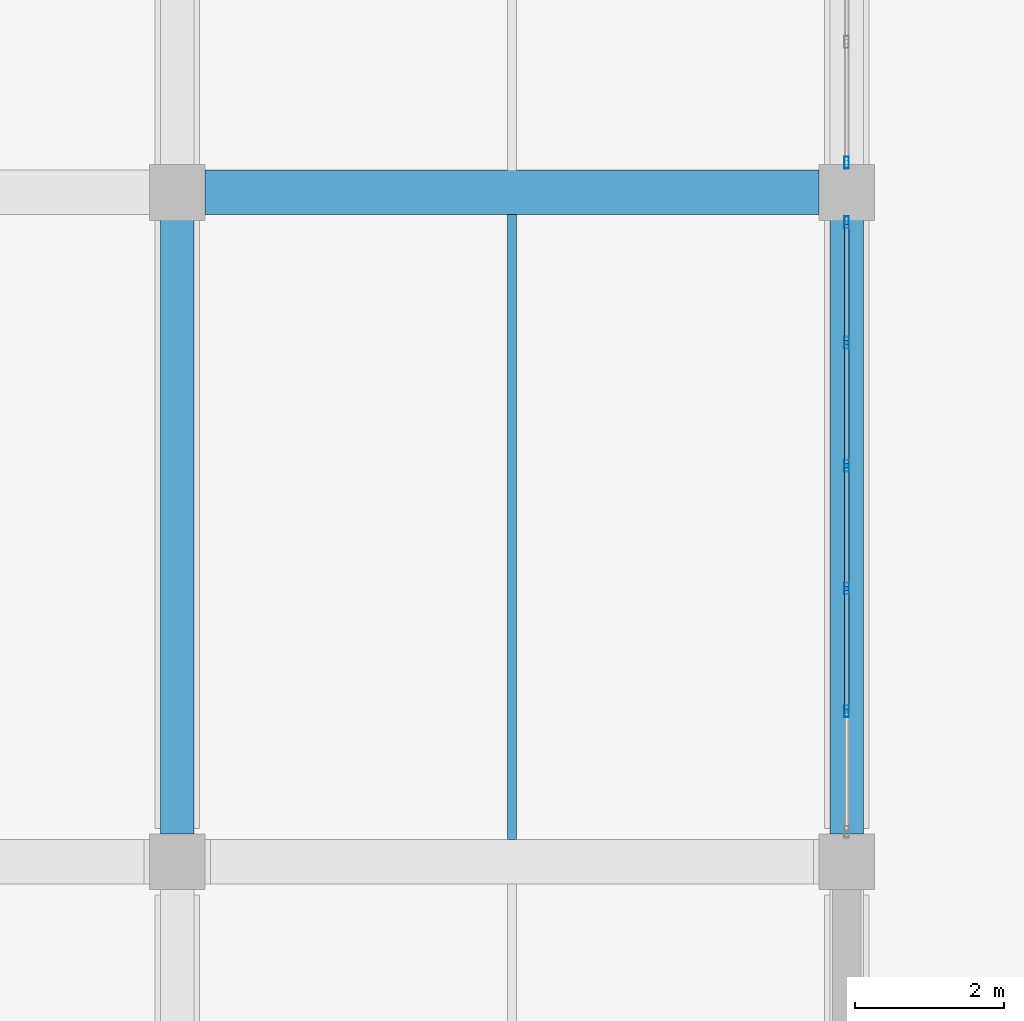
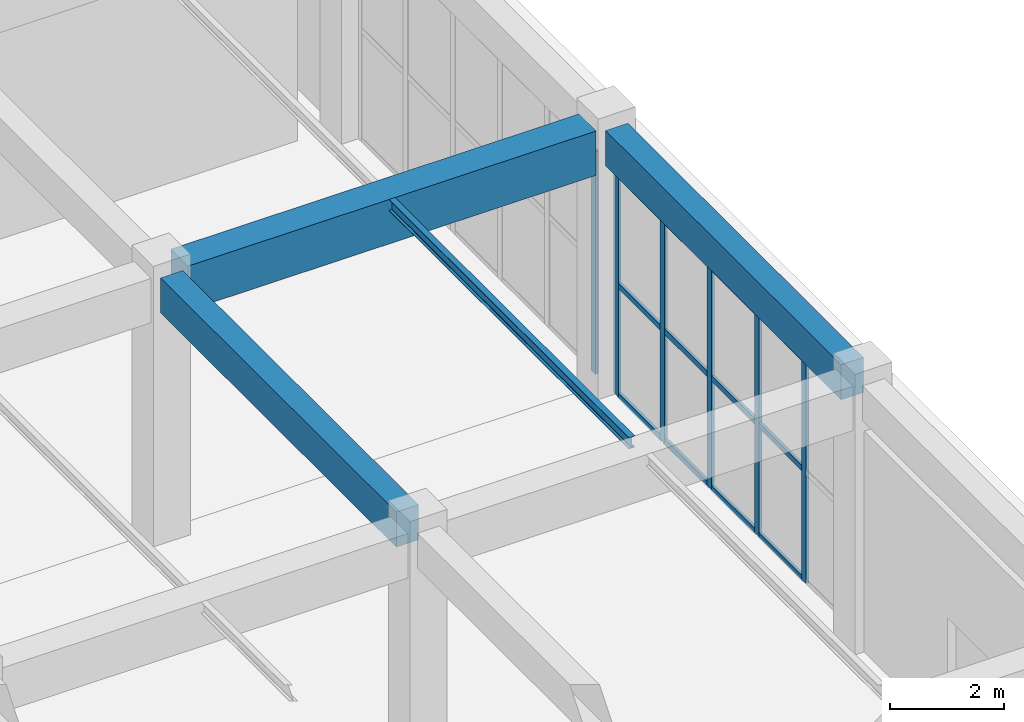
# One storey, part 14 of 91: 18 members, 4 beams, 2 elements without a shape of their own.
"""IFC4 building model written with IfcOpenShell, lengths in metres."""

import ifcopenshell
import ifcopenshell.guid

model = None  # the IFC model being written
_history = None  # IfcOwnerHistory: only IFC2X3 demands one
_inside = {}  # id of a spatial element -> (the spatial element, [elements in it])
_under = {}  # id of a project, library or spatial element -> (it, [spatial elements below it])
_declared = {}  # id of a project -> (the project, [libraries it declares])
_typed = {}  # id of a type object -> (the type object, [elements of that type])
_made_of = {}  # id of a material, layer set ... -> (it, [elements and type objects made of it])


def new_model(schema):
    """Start an empty IFC model of exactly this schema.

    Asked for "IFC4X3", IfcOpenShell would pick the latest addendum, in which some entities
    have other attributes; the version numbers below select the first issue.
    IFC2X3 requires an IfcOwnerHistory on every rooted entity: one is made here for all.
    """
    global model, _history
    if schema == "IFC4X3":
        model = ifcopenshell.file(schema_version=(4, 3, 0, 0))
    else:
        model = ifcopenshell.file(schema=schema)
    _inside.clear()
    _under.clear()
    _declared.clear()
    _typed.clear()
    _made_of.clear()
    _history = None
    if model.schema == "IFC2X3":
        org = make("IfcOrganization", Name="unknown")
        user = make(
            "IfcPersonAndOrganization",
            ThePerson=make("IfcPerson", FamilyName="unknown"),
            TheOrganization=org,
        )
        app = make(
            "IfcApplication",
            ApplicationDeveloper=org,
            Version="unknown",
            ApplicationFullName="unknown",
            ApplicationIdentifier="unknown",
        )
        _history = make(
            "IfcOwnerHistory",
            OwningUser=user,
            OwningApplication=app,
            ChangeAction="ADDED",
            CreationDate=0,
        )
    return model


def make(cls, **values):
    """One entity of the class cls with the attributes given. An attribute that is None is left unset."""
    return model.create_entity(
        cls, **{name: value for name, value in values.items() if value is not None}
    )


def rooted(cls, **values):
    """An entity with a GlobalId (a new one), such as an element, a storey or a relation."""
    return make(cls, GlobalId=ifcopenshell.guid.new(), OwnerHistory=_history, **values)


def si_unit(unit_type, name, prefix=None):
    """IfcSIUnit, for example si_unit("LENGTHUNIT", "METRE", prefix="MILLI")."""
    return make("IfcSIUnit", UnitType=unit_type, Prefix=prefix, Name=name)


def assignment(units):
    """IfcUnitAssignment: the units of a project."""
    return None if units is None else make("IfcUnitAssignment", Units=units)


def point(xyz):
    """IfcCartesianPoint."""
    return None if xyz is None else make("IfcCartesianPoint", Coordinates=xyz)


def direction(xyz):
    """IfcDirection."""
    return None if xyz is None else make("IfcDirection", DirectionRatios=xyz)


def frame(location, z_axis=None, x_axis=None):
    """IfcAxis2Placement3D, a coordinate frame: its origin and axes. An axis left out is left unset."""
    return make(
        "IfcAxis2Placement3D",
        Location=point(location),
        Axis=direction(z_axis),
        RefDirection=direction(x_axis),
    )


def frame_2d(location, x_axis=None):
    """IfcAxis2Placement2D, a coordinate frame in the plane: its origin and x axis."""
    return make(
        "IfcAxis2Placement2D", Location=point(location), RefDirection=direction(x_axis)
    )


def origin():
    """The frame at (0, 0, 0) with its axes left unset."""
    return frame((0.0, 0.0, 0.0))


def origin_2d():
    """The frame at (0, 0) in the plane with its x axis left unset."""
    return frame_2d((0.0, 0.0))


def place(relative_to, where):
    """IfcLocalPlacement: puts the frame where relative to a parent placement (None: the world)."""
    return make(
        "IfcLocalPlacement", PlacementRelTo=relative_to, RelativePlacement=where
    )


def context(
    kind, dimensions, precision=None, world=None, true_north=None, identifier=None
):
    """IfcGeometricRepresentationContext, for example the 3D "Model" context."""
    return make(
        "IfcGeometricRepresentationContext",
        ContextIdentifier=identifier,
        ContextType=kind,
        CoordinateSpaceDimension=dimensions,
        Precision=precision,
        WorldCoordinateSystem=world,
        TrueNorth=true_north,
    )


def subcontext(parent, identifier, kind, view, scale=None):
    """IfcGeometricRepresentationSubContext, for example "Body" below "Model"."""
    return make(
        "IfcGeometricRepresentationSubContext",
        ContextIdentifier=identifier,
        ContextType=kind,
        ParentContext=parent,
        TargetScale=scale,
        TargetView=view,
    )


def project(units=None, contexts=None):
    """IfcProject with its units and contexts."""
    return rooted(
        "IfcProject",
        Name="project",
        RepresentationContexts=contexts,
        UnitsInContext=assignment(units),
    )


def spatial(cls, under=None, at=None, **own):
    """A site, building, storey or space (cls), placed at a placement, below another one or the project."""
    s = rooted(cls, ObjectPlacement=at, **own)
    if under is not None:
        _under.setdefault(under.id(), (under, []))[1].append(s)
    return s


def profile(cls, at=None, kind="AREA", **sizes):
    """A parametric profile (cls). Its sizes go by their IFC names, for example OverallWidth=200.0."""
    return make(cls, ProfileType=kind, Position=at, **sizes)


def rectangle(**sizes):
    """IfcRectangleProfileDef."""
    return profile("IfcRectangleProfileDef", **sizes)


def hollow_rectangle(**sizes):
    """IfcRectangleHollowProfileDef."""
    return profile("IfcRectangleHollowProfileDef", **sizes)


def i_section(**sizes):
    """IfcIShapeProfileDef."""
    return profile("IfcIShapeProfileDef", **sizes)


def extrude(swept, where, along, depth):
    """IfcExtrudedAreaSolid: the profile swept, set in the frame where, extruded along a direction by depth."""
    return make(
        "IfcExtrudedAreaSolid",
        SweptArea=swept,
        Position=where,
        ExtrudedDirection=direction(along),
        Depth=depth,
    )


def shape(context_of_items, identifier, shape_type, items):
    """IfcShapeRepresentation: the items that make up one representation, for example the "Body"."""
    return make(
        "IfcShapeRepresentation",
        ContextOfItems=context_of_items,
        RepresentationIdentifier=identifier,
        RepresentationType=shape_type,
        Items=items,
    )


def material(Name=None, Category=None):
    """IfcMaterial."""
    return make("IfcMaterial", Name=Name, Category=Category)


def layer(
    of_material, thickness, ventilated=None, Name=None, Category=None, Priority=None
):
    """IfcMaterialLayer: one layer of a wall or slab, of a material (None: an air gap)."""
    return make(
        "IfcMaterialLayer",
        Material=of_material,
        LayerThickness=thickness,
        IsVentilated=ventilated,
        Name=Name,
        Category=Category,
        Priority=Priority,
    )


def layer_set(layers, Name=None):
    """IfcMaterialLayerSet."""
    return make("IfcMaterialLayerSet", MaterialLayers=layers, LayerSetName=Name)


def material_profile(
    of_material, cross_section, Name=None, Category=None, Priority=None
):
    """IfcMaterialProfile: a cross section and its material."""
    return make(
        "IfcMaterialProfile",
        Name=Name,
        Material=of_material,
        Profile=cross_section,
        Priority=Priority,
        Category=Category,
    )


def profile_set(profiles, Name=None, composite=None):
    """IfcMaterialProfileSet."""
    return make(
        "IfcMaterialProfileSet",
        Name=Name,
        MaterialProfiles=profiles,
        CompositeProfile=composite,
    )


def made_of(thing, what):
    """Note that an element or type object is made of a material, layer set ...; save() writes the relation."""
    if what is not None:
        _made_of.setdefault(what.id(), (what, []))[1].append(thing)
    return thing


def type_object(cls, material=None, **own):
    """A type object (cls), such as IfcWallType, which elements share."""
    return made_of(rooted(cls, **own), material)


def element(
    cls,
    number,
    at=None,
    inside=None,
    cuts=None,
    type_object=None,
    material=None,
    context=None,
    identifier="Body",
    shape_type=None,
    held_by="IfcProductDefinitionShape",
    body=None,
    shapes=None,
    **own,
):
    """One element of the class cls, such as IfcWall. Its Tag is "e" and its number.

    at: its placement. inside: the storey or other place that contains it. cuts: it is an
    opening in that element (IfcRelVoidsElement). A single representation is given by context,
    identifier, shape_type and body (its items); several are given by shapes. held_by: the class
    of the entity that holds the representations. save() writes the other relations.
    """
    e = rooted(cls, Tag="e%d" % number, ObjectPlacement=at, **own)
    if body is not None:
        shapes = [shape(context, identifier, shape_type, body)]
    if shapes is not None:
        e.Representation = make(held_by, Representations=shapes)
    if inside is not None:
        _inside.setdefault(inside.id(), (inside, []))[1].append(e)
    if cuts is not None:
        rooted(
            "IfcRelVoidsElement", RelatingBuildingElement=cuts, RelatedOpeningElement=e
        )
    if type_object is not None:
        _typed.setdefault(type_object.id(), (type_object, []))[1].append(e)
    return made_of(e, material)


def aggregate(whole, parts):
    """IfcRelAggregates: a whole, such as a stair, and the parts it consists of."""
    return rooted("IfcRelAggregates", RelatingObject=whole, RelatedObjects=parts)


def save(model, path):
    """Write the relations noted so far, then the file.

    IfcRelAggregates (storeys below a building ...), IfcRelContainedInSpatialStructure (elements
    in a storey), IfcRelDefinesByType, IfcRelAssociatesMaterial and IfcRelDeclares: one each for
    every whole, place, type object, material and project.
    """
    for whole, parts in _under.values():
        aggregate(whole, parts)
    for where, things in _inside.values():
        rooted(
            "IfcRelContainedInSpatialStructure",
            RelatedElements=things,
            RelatingStructure=where,
        )
    for kind, things in _typed.values():
        rooted("IfcRelDefinesByType", RelatedObjects=things, RelatingType=kind)
    for what, things in _made_of.values():
        rooted("IfcRelAssociatesMaterial", RelatedObjects=things, RelatingMaterial=what)
    for by, libraries in _declared.values():
        rooted("IfcRelDeclares", RelatingContext=by, RelatedDefinitions=libraries)
    model.write(path)


model = new_model("IFC4")

# Units and contexts
model_context = context("Model", 3, precision=1e-05, world=origin(), true_north=direction((0.0, 1.0)))
body_context = subcontext(model_context, "Body", "Model", "MODEL_VIEW")
ifc_project = project(units=[si_unit("LENGTHUNIT", "METRE"), si_unit("AREAUNIT", "SQUARE_METRE"), si_unit("VOLUMEUNIT", "CUBIC_METRE"), si_unit("PLANEANGLEUNIT", "RADIAN"), si_unit("MASSUNIT", "GRAM", prefix="KILO")], contexts=[model_context])

# Site, building, storey
site_placement = place(None, origin())
site = spatial("IfcSite", under=ifc_project, at=site_placement, CompositionType="ELEMENT")
building_placement = place(site_placement, origin())
building = spatial("IfcBuilding", under=site, at=building_placement, Name="Dornveld Trade and Exhibition Forum", CompositionType="ELEMENT")
storey_placement = place(building_placement, origin())
storey = spatial("IfcBuildingStorey", under=building, at=storey_placement, Name="L00", CompositionType="ELEMENT", Elevation=0.0)

# Beams
ifc_material_1 = material(Name="Steel S355J2", Category="steel")
ifc_material_profile_1 = material_profile(ifc_material_1, i_section(OverallWidth=0.1201171875, OverallDepth=0.239990234375, WebThickness=0.006103515625, FlangeThickness=0.009765625, FilletRadius=0.014892578125, at=origin_2d()), Name="IPE 240")
ifc_profile_set_1 = profile_set([ifc_material_profile_1], Name="Steel S355J2")
beam_type_1 = type_object("IfcBeamType", Name="BM-JOIST-240", PredefinedType="JOIST", material=ifc_profile_set_1)
beam_1_placement = place(storey_placement, frame((229.5, 18.297119140625, 5.580078125), z_axis=(0.0, 1.0, 0.0), x_axis=(-1.0, 0.0, 0.0)))
element("IfcBeam", 1, at=beam_1_placement, inside=storey, type_object=beam_type_1, Name="L00 secondary joist 951", PredefinedType="JOIST", context=body_context, shape_type="SweptSolid", body=[
    extrude(i_section(OverallWidth=0.1201171875, OverallDepth=0.239990234375, WebThickness=0.006103515625, FlangeThickness=0.009765625, FilletRadius=0.014892578125, at=origin_2d()), origin(), (0.0, 0.0, 1.0), 8.40576171875),
])
ifc_material_2 = material(Name="Precast concrete C50/60", Category="concrete")
ifc_material_profile_2 = material_profile(ifc_material_2, rectangle(XDim=0.449951171875, YDim=0.75, at=origin_2d()), Name="PC-BM 450x750")
ifc_profile_set_2 = profile_set([ifc_material_profile_2], Name="Precast concrete C50/60")
beam_type_2 = type_object("IfcBeamType", Name="BM-PC-450x750", PredefinedType="BEAM", material=ifc_profile_set_2)
for number, where, z_axis, x_axis, name in (
    (2, (225.0, 18.37109375, 5.324951171875), (0.0, 1.0, 0.0), (-1.0, 0.0, 0.0), "L00 Y-girder 924"),
    (3, (234.0, 18.37109375, 5.324951171875), (0.0, 1.0, 0.0), (-1.0, 0.0, 0.0), "L00 Y-girder 930"),
):
    element("IfcBeam", number, at=place(storey_placement, frame(where, z_axis=z_axis, x_axis=x_axis)), inside=storey, type_object=beam_type_2, Name=name, PredefinedType="BEAM", context=body_context, shape_type="SweptSolid", body=[
        extrude(rectangle(XDim=0.449951171875, YDim=0.75, at=origin_2d()), origin(), (0.0, 0.0, 1.0), 8.2578125),
    ])
ifc_material_3 = material(Name="Precast concrete C50/60", Category="concrete")
ifc_material_profile_3 = material_profile(ifc_material_3, rectangle(XDim=0.60009765625, YDim=0.949951171875, at=origin_2d()), Name="PC-GIR 600x950")
ifc_profile_set_3 = profile_set([ifc_material_profile_3], Name="Precast concrete C50/60")
beam_type_3 = type_object("IfcBeamType", Name="BM-PC-600x950", PredefinedType="T_BEAM", material=ifc_profile_set_3)
beam_2_placement = place(storey_placement, frame((225.37109375, 27.0, 5.22509765625), z_axis=(1.0, 0.0, 0.0), x_axis=(0.0, 1.0, 0.0)))
element("IfcBeam", 4, at=beam_2_placement, inside=storey, type_object=beam_type_3, Name="L00 X-girder 891", PredefinedType="T_BEAM", context=body_context, shape_type="SweptSolid", body=[
    extrude(rectangle(XDim=0.60009765625, YDim=0.949951171875, at=origin_2d()), origin(), (0.0, 0.0, 1.0), 8.2578125),
])

# Curtain wall, members
ifc_material_4 = material(Name="Dark-bronze anodised aluminium and low-E glass", Category="aluminium")
ifc_layer_1 = layer(ifc_material_4, 0.180908203125)
ifc_layer_set_1 = layer_set([ifc_layer_1], Name="Dark-bronze anodised aluminium and low-E glass")
curtain_wall_type_1 = type_object("IfcCurtainWallType", Name="CW-SYS-13", PredefinedType="USERDEFINED", material=ifc_layer_set_1)
curtain_wall_1_placement = place(storey_placement, origin())
curtain_wall_1 = element("IfcCurtainWall", 5, at=curtain_wall_1_placement, inside=storey, type_object=curtain_wall_type_1, Name="L00 unitised curtain wall 67", ObjectType="UNITISED_CURTAIN_WALL", PredefinedType="USERDEFINED")
ifc_material_5 = material(Name="Dark-bronze anodised aluminium", Category="aluminium")
ifc_material_profile_4 = material_profile(ifc_material_5, hollow_rectangle(XDim=0.06005859375, YDim=0.159912109375, WallThickness=0.00390625, at=origin_2d()), Name="RHS 160x60x4")
ifc_profile_set_4 = profile_set([ifc_material_profile_4], Name="Dark-bronze anodised aluminium")
member_type_1 = type_object("IfcMemberType", Name="CW-MUL-160", PredefinedType="MULLION", material=ifc_profile_set_4)
member_1_placement = place(storey_placement, frame((234.0, 20.022705078125, -0.00390625), z_axis=(0.0, 0.0, 1.0), x_axis=(-1.0, 0.0, 0.0)))
member_1 = element("IfcMember", 6, at=member_1_placement, type_object=member_type_1, Name="CW-13 mullion 2", PredefinedType="MULLION", context=body_context, shape_type="SweptSolid", body=[
    extrude(hollow_rectangle(XDim=0.06005859375, YDim=0.159912109375, WallThickness=0.00390625, at=origin_2d()), origin(), (0.0, 0.0, 1.0), 4.763916015625),
])
member_2_placement = place(storey_placement, frame((234.0, 21.67431640625, -0.00390625), z_axis=(0.0, 0.0, 1.0), x_axis=(-1.0, 0.0, 0.0)))
member_2 = element("IfcMember", 7, at=member_2_placement, type_object=member_type_1, Name="CW-13 mullion 3", PredefinedType="MULLION", context=body_context, shape_type="SweptSolid", body=[
    extrude(hollow_rectangle(XDim=0.06005859375, YDim=0.159912109375, WallThickness=0.00390625, at=origin_2d()), origin(), (0.0, 0.0, 1.0), 4.763916015625),
])
member_3_placement = place(storey_placement, frame((234.0, 23.32568359375, -0.00390625), z_axis=(0.0, 0.0, 1.0), x_axis=(-1.0, 0.0, 0.0)))
member_3 = element("IfcMember", 8, at=member_3_placement, type_object=member_type_1, Name="CW-13 mullion 4", PredefinedType="MULLION", context=body_context, shape_type="SweptSolid", body=[
    extrude(hollow_rectangle(XDim=0.06005859375, YDim=0.159912109375, WallThickness=0.00390625, at=origin_2d()), origin(), (0.0, 0.0, 1.0), 4.763916015625),
])
member_4_placement = place(storey_placement, frame((234.0, 24.977294921875, -0.00390625), z_axis=(0.0, 0.0, 1.0), x_axis=(-1.0, 0.0, 0.0)))
member_4 = element("IfcMember", 9, at=member_4_placement, type_object=member_type_1, Name="CW-13 mullion 5", PredefinedType="MULLION", context=body_context, shape_type="SweptSolid", body=[
    extrude(hollow_rectangle(XDim=0.06005859375, YDim=0.159912109375, WallThickness=0.00390625, at=origin_2d()), origin(), (0.0, 0.0, 1.0), 4.763916015625),
])
member_5_placement = place(storey_placement, frame((234.0, 26.59912109375, -0.00390625), z_axis=(0.0, 0.0, 1.0), x_axis=(-1.0, 0.0, 0.0)))
member_5 = element("IfcMember", 10, at=member_5_placement, type_object=member_type_1, Name="CW-13 mullion 6", PredefinedType="MULLION", context=body_context, shape_type="SweptSolid", body=[
    extrude(hollow_rectangle(XDim=0.06005859375, YDim=0.159912109375, WallThickness=0.00390625, at=origin_2d()), origin(), (0.0, 0.0, 1.0), 4.763916015625),
])

# Curtain wall, member
ifc_material_6 = material(Name="Dark-bronze anodised aluminium and low-E glass", Category="aluminium")
ifc_layer_2 = layer(ifc_material_6, 0.18408203125)
ifc_layer_set_2 = layer_set([ifc_layer_2], Name="Dark-bronze anodised aluminium and low-E glass")
curtain_wall_type_2 = type_object("IfcCurtainWallType", Name="CW-SYS-14", PredefinedType="USERDEFINED", material=ifc_layer_set_2)
curtain_wall_2_placement = place(storey_placement, origin())
curtain_wall_2 = element("IfcCurtainWall", 11, at=curtain_wall_2_placement, inside=storey, type_object=curtain_wall_type_2, Name="L00 unitised curtain wall 68", ObjectType="UNITISED_CURTAIN_WALL", PredefinedType="USERDEFINED")
member_6_placement = place(storey_placement, frame((234.0, 27.40087890625, -0.00390625), z_axis=(0.0, 0.0, 1.0), x_axis=(-1.0, 0.0, 0.0)))
member_6 = element("IfcMember", 12, at=member_6_placement, type_object=member_type_1, Name="CW-14 mullion 1", PredefinedType="MULLION", context=body_context, shape_type="SweptSolid", body=[
    extrude(hollow_rectangle(XDim=0.06005859375, YDim=0.159912109375, WallThickness=0.00390625, at=origin_2d()), origin(), (0.0, 0.0, 1.0), 4.763916015625),
])
aggregate(curtain_wall_2, [member_6])

# Member
ifc_material_7 = material(Name="Dark-bronze anodised aluminium", Category="aluminium")
ifc_material_profile_5 = material_profile(ifc_material_7, hollow_rectangle(XDim=0.06005859375, YDim=0.1201171875, WallThickness=0.00390625, at=origin_2d()), Name="RHS 120x60x4")
ifc_profile_set_5 = profile_set([ifc_material_profile_5], Name="Dark-bronze anodised aluminium")
member_type_2 = type_object("IfcMemberType", Name="CW-TRN-120", PredefinedType="USERDEFINED", material=ifc_profile_set_5)
member_7_placement = place(storey_placement, frame((234.0, 20.052490234375, 0.02587890625), z_axis=(0.0, 1.0, 0.0), x_axis=(-1.0, 0.0, 0.0)))
member_7 = element("IfcMember", 13, at=member_7_placement, type_object=member_type_2, Name="CW-13 transom 2.1", ObjectType="TRANSOM", PredefinedType="USERDEFINED", context=body_context, shape_type="SweptSolid", body=[
    extrude(hollow_rectangle(XDim=0.06005859375, YDim=0.1201171875, WallThickness=0.00390625, at=origin_2d()), origin(), (0.0, 0.0, 1.0), 1.591796875),
])

member_8_placement = place(storey_placement, frame((234.0, 20.052490234375, 2.3779296875), z_axis=(0.0, 1.0, 0.0), x_axis=(-1.0, 0.0, 0.0)))
member_8 = element("IfcMember", 14, at=member_8_placement, type_object=member_type_2, Name="CW-13 transom 2.2", ObjectType="TRANSOM", PredefinedType="USERDEFINED", context=body_context, shape_type="SweptSolid", body=[
    extrude(hollow_rectangle(XDim=0.06005859375, YDim=0.1201171875, WallThickness=0.00390625, at=origin_2d()), origin(), (0.0, 0.0, 1.0), 1.591796875),
])

member_9_placement = place(storey_placement, frame((234.0, 20.052490234375, 4.72998046875), z_axis=(0.0, 1.0, 0.0), x_axis=(-1.0, 0.0, 0.0)))
member_9 = element("IfcMember", 15, at=member_9_placement, type_object=member_type_2, Name="CW-13 transom 2.3", ObjectType="TRANSOM", PredefinedType="USERDEFINED", context=body_context, shape_type="SweptSolid", body=[
    extrude(hollow_rectangle(XDim=0.06005859375, YDim=0.1201171875, WallThickness=0.00390625, at=origin_2d()), origin(), (0.0, 0.0, 1.0), 1.591796875),
])

member_10_placement = place(storey_placement, frame((234.0, 21.7041015625, 0.02587890625), z_axis=(0.0, 1.0, 0.0), x_axis=(-1.0, 0.0, 0.0)))
member_10 = element("IfcMember", 16, at=member_10_placement, type_object=member_type_2, Name="CW-13 transom 3.1", ObjectType="TRANSOM", PredefinedType="USERDEFINED", context=body_context, shape_type="SweptSolid", body=[
    extrude(hollow_rectangle(XDim=0.06005859375, YDim=0.1201171875, WallThickness=0.00390625, at=origin_2d()), origin(), (0.0, 0.0, 1.0), 1.591796875),
])

member_11_placement = place(storey_placement, frame((234.0, 21.7041015625, 2.3779296875), z_axis=(0.0, 1.0, 0.0), x_axis=(-1.0, 0.0, 0.0)))
member_11 = element("IfcMember", 17, at=member_11_placement, type_object=member_type_2, Name="CW-13 transom 3.2", ObjectType="TRANSOM", PredefinedType="USERDEFINED", context=body_context, shape_type="SweptSolid", body=[
    extrude(hollow_rectangle(XDim=0.06005859375, YDim=0.1201171875, WallThickness=0.00390625, at=origin_2d()), origin(), (0.0, 0.0, 1.0), 1.591796875),
])

member_12_placement = place(storey_placement, frame((234.0, 21.7041015625, 4.72998046875), z_axis=(0.0, 1.0, 0.0), x_axis=(-1.0, 0.0, 0.0)))
member_12 = element("IfcMember", 18, at=member_12_placement, type_object=member_type_2, Name="CW-13 transom 3.3", ObjectType="TRANSOM", PredefinedType="USERDEFINED", context=body_context, shape_type="SweptSolid", body=[
    extrude(hollow_rectangle(XDim=0.06005859375, YDim=0.1201171875, WallThickness=0.00390625, at=origin_2d()), origin(), (0.0, 0.0, 1.0), 1.591796875),
])

member_13_placement = place(storey_placement, frame((234.0, 23.355712890625, 0.02587890625), z_axis=(0.0, 1.0, 0.0), x_axis=(-1.0, 0.0, 0.0)))
member_13 = element("IfcMember", 19, at=member_13_placement, type_object=member_type_2, Name="CW-13 transom 4.1", ObjectType="TRANSOM", PredefinedType="USERDEFINED", context=body_context, shape_type="SweptSolid", body=[
    extrude(hollow_rectangle(XDim=0.06005859375, YDim=0.1201171875, WallThickness=0.00390625, at=origin_2d()), origin(), (0.0, 0.0, 1.0), 1.591796875),
])

member_14_placement = place(storey_placement, frame((234.0, 23.355712890625, 2.3779296875), z_axis=(0.0, 1.0, 0.0), x_axis=(-1.0, 0.0, 0.0)))
member_14 = element("IfcMember", 20, at=member_14_placement, type_object=member_type_2, Name="CW-13 transom 4.2", ObjectType="TRANSOM", PredefinedType="USERDEFINED", context=body_context, shape_type="SweptSolid", body=[
    extrude(hollow_rectangle(XDim=0.06005859375, YDim=0.1201171875, WallThickness=0.00390625, at=origin_2d()), origin(), (0.0, 0.0, 1.0), 1.591796875),
])

member_15_placement = place(storey_placement, frame((234.0, 23.355712890625, 4.72998046875), z_axis=(0.0, 1.0, 0.0), x_axis=(-1.0, 0.0, 0.0)))
member_15 = element("IfcMember", 21, at=member_15_placement, type_object=member_type_2, Name="CW-13 transom 4.3", ObjectType="TRANSOM", PredefinedType="USERDEFINED", context=body_context, shape_type="SweptSolid", body=[
    extrude(hollow_rectangle(XDim=0.06005859375, YDim=0.1201171875, WallThickness=0.00390625, at=origin_2d()), origin(), (0.0, 0.0, 1.0), 1.591796875),
])

member_16_placement = place(storey_placement, frame((234.0, 25.00732421875, 0.02587890625), z_axis=(0.0, 1.0, 0.0), x_axis=(-1.0, 0.0, 0.0)))
member_16 = element("IfcMember", 22, at=member_16_placement, type_object=member_type_2, Name="CW-13 transom 5.1", ObjectType="TRANSOM", PredefinedType="USERDEFINED", context=body_context, shape_type="SweptSolid", body=[
    extrude(hollow_rectangle(XDim=0.06005859375, YDim=0.1201171875, WallThickness=0.00390625, at=origin_2d()), origin(), (0.0, 0.0, 1.0), 1.561767578125),
])

member_17_placement = place(storey_placement, frame((234.0, 25.00732421875, 2.3779296875), z_axis=(0.0, 1.0, 0.0), x_axis=(-1.0, 0.0, 0.0)))
member_17 = element("IfcMember", 23, at=member_17_placement, type_object=member_type_2, Name="CW-13 transom 5.2", ObjectType="TRANSOM", PredefinedType="USERDEFINED", context=body_context, shape_type="SweptSolid", body=[
    extrude(hollow_rectangle(XDim=0.06005859375, YDim=0.1201171875, WallThickness=0.00390625, at=origin_2d()), origin(), (0.0, 0.0, 1.0), 1.561767578125),
])

member_18_placement = place(storey_placement, frame((234.0, 25.00732421875, 4.72998046875), z_axis=(0.0, 1.0, 0.0), x_axis=(-1.0, 0.0, 0.0)))
member_18 = element("IfcMember", 24, at=member_18_placement, type_object=member_type_2, Name="CW-13 transom 5.3", ObjectType="TRANSOM", PredefinedType="USERDEFINED", context=body_context, shape_type="SweptSolid", body=[
    extrude(hollow_rectangle(XDim=0.06005859375, YDim=0.1201171875, WallThickness=0.00390625, at=origin_2d()), origin(), (0.0, 0.0, 1.0), 1.561767578125),
])

aggregate(curtain_wall_1, [member_1, member_2, member_3, member_4, member_5, member_7, member_8, member_9, member_10, member_11, member_12, member_13, member_14, member_15, member_16, member_17, member_18])

save(model, "model.ifc")
